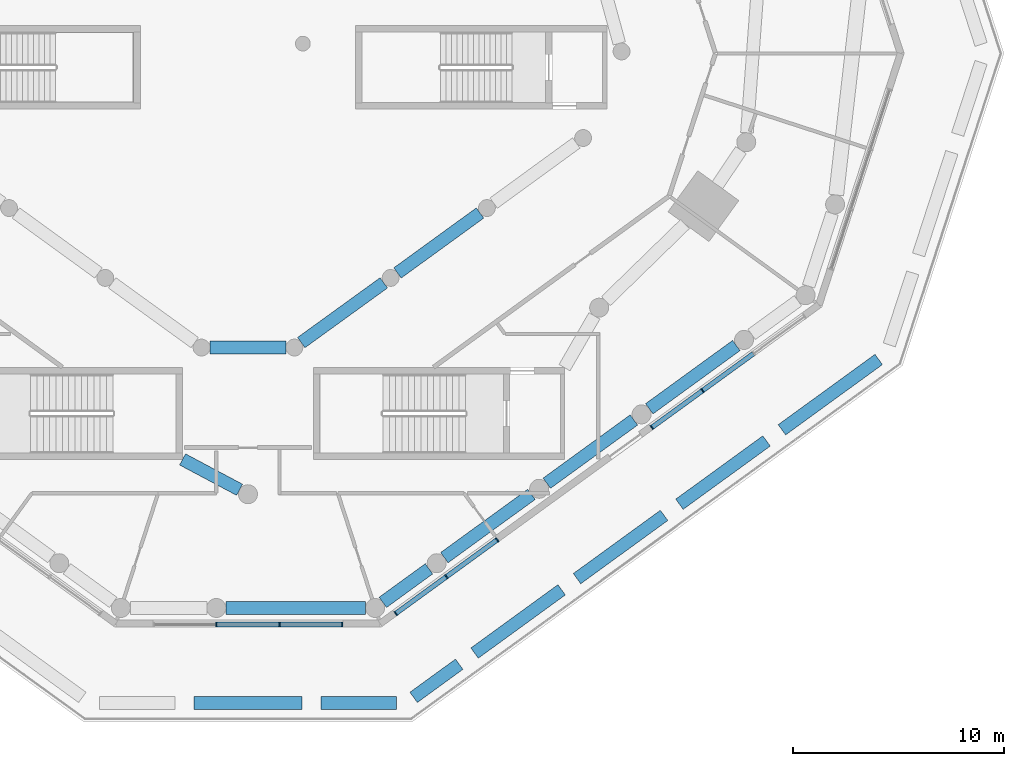
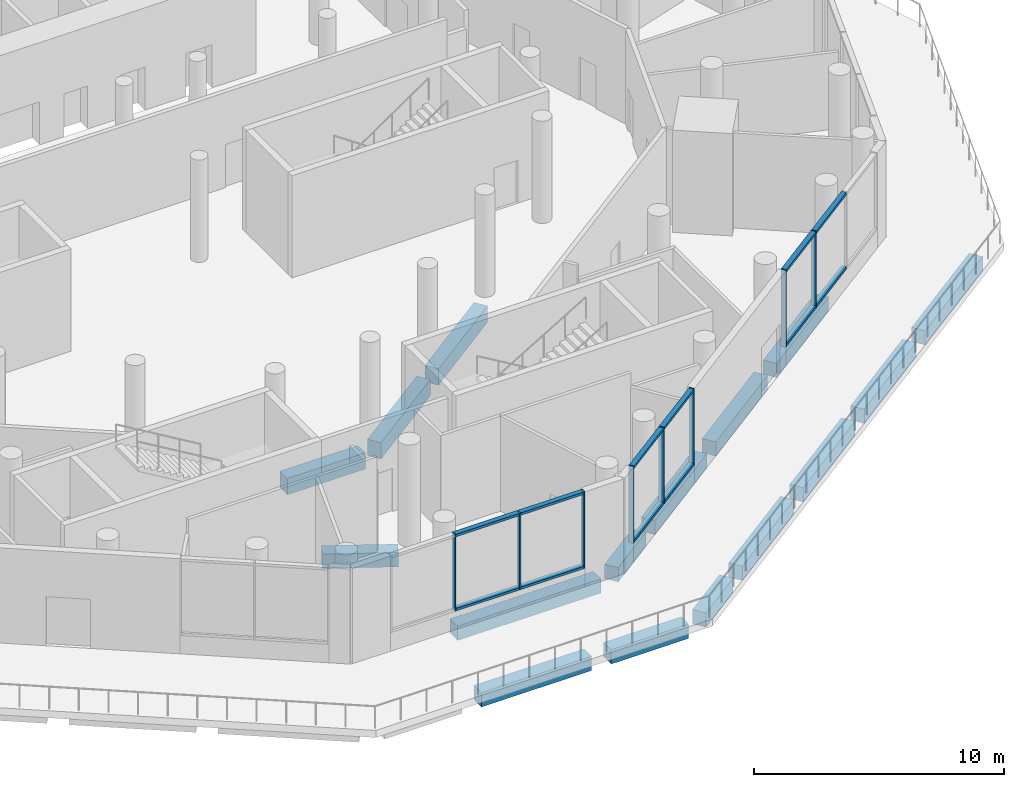
# One storey, part 4 of 19: 20 members, 16 beams, 3 elements without a shape of their own.
"""IFC4 building model written with IfcOpenShell, lengths in metres."""

from ifc_helpers import new_model, si_unit, direction, frame, origin, origin_2d, place, context, subcontext, project, spatial, rectangle, extrude, material, material_profile, profile_set, type_object, element, aggregate, save


model = new_model("IFC4")

# Units and contexts
model_context = context("Model", 3, precision=1e-05, world=origin(), true_north=direction((0.0, 1.0)))
body_context = subcontext(model_context, "Body", "Model", "MODEL_VIEW")
ifc_project = project(units=[si_unit("LENGTHUNIT", "METRE"), si_unit("AREAUNIT", "SQUARE_METRE"), si_unit("VOLUMEUNIT", "CUBIC_METRE"), si_unit("PLANEANGLEUNIT", "RADIAN"), si_unit("MASSUNIT", "GRAM", prefix="KILO")], contexts=[model_context])

# Site, building, storey
site_placement = place(None, origin())
site = spatial("IfcSite", under=ifc_project, at=site_placement, CompositionType="ELEMENT")
building_placement = place(site_placement, origin())
building = spatial("IfcBuilding", under=site, at=building_placement, Name="White Candle Pilgrim Tower", CompositionType="ELEMENT")
storey_placement = place(building_placement, frame((0.0, 0.0, 29.0)))
storey = spatial("IfcBuildingStorey", under=building, at=storey_placement, Name="L04", CompositionType="ELEMENT", Elevation=29.0)

# Curtain wall, members
ifc_material_1 = material(Name="Aluminium and glass", Category="aluminium")
curtain_wall_type = type_object("IfcCurtainWallType", Name="Curtain wall CW3 refectory and meeting glazing", PredefinedType="NOTDEFINED", material=ifc_material_1)
curtain_wall_1_placement = place(storey_placement, origin())
curtain_wall_1 = element("IfcCurtainWall", 1, at=curtain_wall_1_placement, inside=storey, type_object=curtain_wall_type, Name="Curtain wall CW3 L04 S chamfer", PredefinedType="NOTDEFINED")
ifc_material_2 = material(Name="Aluminium", Category="aluminium")
ifc_material_profile_1 = material_profile(ifc_material_2, rectangle(XDim=0.22509765625, YDim=0.06005859375, at=origin_2d()), Name="CW3 mullion 60x225")
ifc_profile_set_1 = profile_set([ifc_material_profile_1], Name="Aluminium")
member_type_1 = type_object("IfcMemberType", Name="CW3 mullion 60x225", PredefinedType="MULLION", material=ifc_profile_set_1)
member_1_placement = place(storey_placement, frame((68.5, 33.4736328125, 0.89990234375), z_axis=(0.0, 0.0, 1.0), x_axis=(0.0, 1.0, 0.0)))
member_1 = element("IfcMember", 2, at=member_1_placement, type_object=member_type_1, Name="CW3 mullion 2", PredefinedType="MULLION", context=body_context, shape_type="SweptSolid", body=[
    extrude(rectangle(XDim=0.22509765625, YDim=0.06005859375, at=origin_2d()), origin(), (0.0, 0.0, 1.0), 3.75),
])
member_2_placement = place(storey_placement, frame((71.5, 33.4736328125, 0.89990234375), z_axis=(0.0, 0.0, 1.0), x_axis=(0.0, 1.0, 0.0)))
member_2 = element("IfcMember", 3, at=member_2_placement, type_object=member_type_1, Name="CW3 mullion 3", PredefinedType="MULLION", context=body_context, shape_type="SweptSolid", body=[
    extrude(rectangle(XDim=0.22509765625, YDim=0.06005859375, at=origin_2d()), origin(), (0.0, 0.0, 1.0), 3.75),
])
member_3_placement = place(storey_placement, frame((74.469970703125, 33.4736328125, 0.89990234375), z_axis=(0.0, 0.0, 1.0), x_axis=(0.0, 1.0, 0.0)))
member_3 = element("IfcMember", 4, at=member_3_placement, type_object=member_type_1, Name="CW3 mullion 4", PredefinedType="MULLION", context=body_context, shape_type="SweptSolid", body=[
    extrude(rectangle(XDim=0.22509765625, YDim=0.06005859375, at=origin_2d()), origin(), (0.0, 0.0, 1.0), 3.75),
])

curtain_wall_2_placement = place(storey_placement, origin())
curtain_wall_2 = element("IfcCurtainWall", 5, at=curtain_wall_2_placement, inside=storey, type_object=curtain_wall_type, Name="Curtain wall CW3 L04 SE", PredefinedType="NOTDEFINED")
member_4_placement = place(storey_placement, frame((77.001708984375, 33.998291015625, 0.89990234375), z_axis=(0.0, 0.0, 1.0), x_axis=(-0.587785250203, 0.809016995893, 0.0)))
member_4 = element("IfcMember", 6, at=member_4_placement, type_object=member_type_1, Name="CW3 mullion 1", PredefinedType="MULLION", context=body_context, shape_type="SweptSolid", body=[
    extrude(rectangle(XDim=0.22509765625, YDim=0.06005859375, at=origin_2d()), origin(), (0.0, 0.0, 1.0), 3.75),
])
member_5_placement = place(storey_placement, frame((79.404541015625, 35.743896484375, 0.89990234375), z_axis=(0.0, 0.0, 1.0), x_axis=(-0.587785250203, 0.809016995893, 0.0)))
member_5 = element("IfcMember", 7, at=member_5_placement, type_object=member_type_1, Name="CW3 mullion 2", PredefinedType="MULLION", context=body_context, shape_type="SweptSolid", body=[
    extrude(rectangle(XDim=0.22509765625, YDim=0.06005859375, at=origin_2d()), origin(), (0.0, 0.0, 1.0), 3.75),
])
member_6_placement = place(storey_placement, frame((81.807373046875, 37.48974609375, 0.89990234375), z_axis=(0.0, 0.0, 1.0), x_axis=(-0.587785250203, 0.809016995893, 0.0)))
member_6 = element("IfcMember", 8, at=member_6_placement, type_object=member_type_1, Name="CW3 mullion 3", PredefinedType="MULLION", context=body_context, shape_type="SweptSolid", body=[
    extrude(rectangle(XDim=0.22509765625, YDim=0.06005859375, at=origin_2d()), origin(), (0.0, 0.0, 1.0), 3.75),
])

curtain_wall_3_placement = place(storey_placement, origin())
curtain_wall_3 = element("IfcCurtainWall", 9, at=curtain_wall_3_placement, inside=storey, type_object=curtain_wall_type, Name="Curtain wall CW3 L04 SE", PredefinedType="NOTDEFINED")
member_7_placement = place(storey_placement, frame((89.136962890625, 42.81494140625, 0.89990234375), z_axis=(0.0, 0.0, 1.0), x_axis=(-0.587785250217, 0.809016995883, 0.0)))
member_7 = element("IfcMember", 10, at=member_7_placement, type_object=member_type_1, Name="CW3 mullion 1", PredefinedType="MULLION", context=body_context, shape_type="SweptSolid", body=[
    extrude(rectangle(XDim=0.22509765625, YDim=0.06005859375, at=origin_2d()), origin(), (0.0, 0.0, 1.0), 3.75),
])
member_8_placement = place(storey_placement, frame((91.539794921875, 44.560791015625, 0.89990234375), z_axis=(0.0, 0.0, 1.0), x_axis=(-0.587785250217, 0.809016995883, 0.0)))
member_8 = element("IfcMember", 11, at=member_8_placement, type_object=member_type_1, Name="CW3 mullion 2", PredefinedType="MULLION", context=body_context, shape_type="SweptSolid", body=[
    extrude(rectangle(XDim=0.22509765625, YDim=0.06005859375, at=origin_2d()), origin(), (0.0, 0.0, 1.0), 3.75),
])

# Member
ifc_material_profile_2 = material_profile(ifc_material_2, rectangle(XDim=0.22509765625, YDim=0.1201171875, at=origin_2d()), Name="CW3 transom 120x225")
ifc_profile_set_2 = profile_set([ifc_material_profile_2], Name="Aluminium")
member_type_2 = type_object("IfcMemberType", Name="CW3 transom 120x225", PredefinedType="USERDEFINED", material=ifc_profile_set_2)
member_9_placement = place(storey_placement, frame((68.530029296875, 33.4736328125, 0.9599609375), z_axis=(1.0, 0.0, 0.0), x_axis=(0.0, 1.0, 0.0)))
member_9 = element("IfcMember", 12, at=member_9_placement, type_object=member_type_2, Name="CW3 transom 2.1", ObjectType="TRANSOM", PredefinedType="USERDEFINED", context=body_context, shape_type="SweptSolid", body=[
    extrude(rectangle(XDim=0.22509765625, YDim=0.1201171875, at=origin_2d()), origin(), (0.0, 0.0, 1.0), 2.93994140625),
])

member_10_placement = place(storey_placement, frame((68.530029296875, 33.4736328125, 4.590087890625), z_axis=(1.0, 0.0, 0.0), x_axis=(0.0, 1.0, 0.0)))
member_10 = element("IfcMember", 13, at=member_10_placement, type_object=member_type_2, Name="CW3 transom 2.2", ObjectType="TRANSOM", PredefinedType="USERDEFINED", context=body_context, shape_type="SweptSolid", body=[
    extrude(rectangle(XDim=0.22509765625, YDim=0.1201171875, at=origin_2d()), origin(), (0.0, 0.0, 1.0), 2.93994140625),
])

member_11_placement = place(storey_placement, frame((71.530029296875, 33.4736328125, 0.9599609375), z_axis=(1.0, 0.0, 0.0), x_axis=(0.0, 1.0, 0.0)))
member_11 = element("IfcMember", 14, at=member_11_placement, type_object=member_type_2, Name="CW3 transom 3.1", ObjectType="TRANSOM", PredefinedType="USERDEFINED", context=body_context, shape_type="SweptSolid", body=[
    extrude(rectangle(XDim=0.22509765625, YDim=0.1201171875, at=origin_2d()), origin(), (0.0, 0.0, 1.0), 2.909912109375),
])

member_12_placement = place(storey_placement, frame((71.530029296875, 33.4736328125, 4.590087890625), z_axis=(1.0, 0.0, 0.0), x_axis=(0.0, 1.0, 0.0)))
member_12 = element("IfcMember", 15, at=member_12_placement, type_object=member_type_2, Name="CW3 transom 3.2", ObjectType="TRANSOM", PredefinedType="USERDEFINED", context=body_context, shape_type="SweptSolid", body=[
    extrude(rectangle(XDim=0.22509765625, YDim=0.1201171875, at=origin_2d()), origin(), (0.0, 0.0, 1.0), 2.909912109375),
])

aggregate(curtain_wall_1, [member_1, member_2, member_3, member_9, member_10, member_11, member_12])

member_13_placement = place(storey_placement, frame((77.026123046875, 34.015869140625, 0.9599609375), z_axis=(0.809018973085, 0.587782528822, 0.0), x_axis=(-0.587782528822, 0.809018973085, 0.0)))
member_13 = element("IfcMember", 16, at=member_13_placement, type_object=member_type_2, Name="CW3 transom 1.1", ObjectType="TRANSOM", PredefinedType="USERDEFINED", context=body_context, shape_type="SweptSolid", body=[
    extrude(rectangle(XDim=0.22509765625, YDim=0.1201171875, at=origin_2d()), origin(), (0.0, 0.0, 1.0), 2.909912109375),
])

member_14_placement = place(storey_placement, frame((77.026123046875, 34.015869140625, 4.590087890625), z_axis=(0.809018973085, 0.587782528822, 0.0), x_axis=(-0.587782528822, 0.809018973085, 0.0)))
member_14 = element("IfcMember", 17, at=member_14_placement, type_object=member_type_2, Name="CW3 transom 1.2", ObjectType="TRANSOM", PredefinedType="USERDEFINED", context=body_context, shape_type="SweptSolid", body=[
    extrude(rectangle(XDim=0.22509765625, YDim=0.1201171875, at=origin_2d()), origin(), (0.0, 0.0, 1.0), 2.909912109375),
])

member_15_placement = place(storey_placement, frame((79.428955078125, 35.761474609375, 0.9599609375), z_axis=(0.808979077872, 0.587837436342, 0.0), x_axis=(-0.587837436342, 0.808979077872, 0.0)))
member_15 = element("IfcMember", 18, at=member_15_placement, type_object=member_type_2, Name="CW3 transom 2.1", ObjectType="TRANSOM", PredefinedType="USERDEFINED", context=body_context, shape_type="SweptSolid", body=[
    extrude(rectangle(XDim=0.22509765625, YDim=0.1201171875, at=origin_2d()), origin(), (0.0, 0.0, 1.0), 2.91015625),
])

member_16_placement = place(storey_placement, frame((79.428955078125, 35.761474609375, 4.590087890625), z_axis=(0.808979077872, 0.587837436342, 0.0), x_axis=(-0.587837436342, 0.808979077872, 0.0)))
member_16 = element("IfcMember", 19, at=member_16_placement, type_object=member_type_2, Name="CW3 transom 2.2", ObjectType="TRANSOM", PredefinedType="USERDEFINED", context=body_context, shape_type="SweptSolid", body=[
    extrude(rectangle(XDim=0.22509765625, YDim=0.1201171875, at=origin_2d()), origin(), (0.0, 0.0, 1.0), 2.91015625),
])

aggregate(curtain_wall_2, [member_4, member_5, member_6, member_13, member_14, member_15, member_16])

member_17_placement = place(storey_placement, frame((89.161376953125, 42.832763671875, 0.9599609375), z_axis=(0.809018973085, 0.587782528822, 0.0), x_axis=(-0.587782528822, 0.809018973085, 0.0)))
member_17 = element("IfcMember", 20, at=member_17_placement, type_object=member_type_2, Name="CW3 transom 1.1", ObjectType="TRANSOM", PredefinedType="USERDEFINED", context=body_context, shape_type="SweptSolid", body=[
    extrude(rectangle(XDim=0.22509765625, YDim=0.1201171875, at=origin_2d()), origin(), (0.0, 0.0, 1.0), 2.909912109375),
])

member_18_placement = place(storey_placement, frame((89.161376953125, 42.832763671875, 4.590087890625), z_axis=(0.809018973085, 0.587782528822, 0.0), x_axis=(-0.587782528822, 0.809018973085, 0.0)))
member_18 = element("IfcMember", 21, at=member_18_placement, type_object=member_type_2, Name="CW3 transom 1.2", ObjectType="TRANSOM", PredefinedType="USERDEFINED", context=body_context, shape_type="SweptSolid", body=[
    extrude(rectangle(XDim=0.22509765625, YDim=0.1201171875, at=origin_2d()), origin(), (0.0, 0.0, 1.0), 2.909912109375),
])

member_19_placement = place(storey_placement, frame((91.564208984375, 44.578369140625, 0.9599609375), z_axis=(0.809016098264, 0.587786485682, 0.0), x_axis=(-0.587786485682, 0.809016098264, 0.0)))
member_19 = element("IfcMember", 22, at=member_19_placement, type_object=member_type_2, Name="CW3 transom 2.1", ObjectType="TRANSOM", PredefinedType="USERDEFINED", context=body_context, shape_type="SweptSolid", body=[
    extrude(rectangle(XDim=0.22509765625, YDim=0.1201171875, at=origin_2d()), origin(), (0.0, 0.0, 1.0), 2.93994140625),
])

member_20_placement = place(storey_placement, frame((91.564208984375, 44.578369140625, 4.590087890625), z_axis=(0.809016098264, 0.587786485682, 0.0), x_axis=(-0.587786485682, 0.809016098264, 0.0)))
member_20 = element("IfcMember", 23, at=member_20_placement, type_object=member_type_2, Name="CW3 transom 2.2", ObjectType="TRANSOM", PredefinedType="USERDEFINED", context=body_context, shape_type="SweptSolid", body=[
    extrude(rectangle(XDim=0.22509765625, YDim=0.1201171875, at=origin_2d()), origin(), (0.0, 0.0, 1.0), 2.93994140625),
])

aggregate(curtain_wall_3, [member_7, member_8, member_17, member_18, member_19, member_20])

# Beams
ifc_material_3 = material(Name="Concrete C50/60", Category="concrete")
ifc_material_profile_3 = material_profile(ifc_material_3, rectangle(XDim=0.60009765625, YDim=0.800048828125, at=origin_2d()), Name="RC-BM 600x800")
ifc_profile_set_3 = profile_set([ifc_material_profile_3], Name="Concrete C50/60")
beam_type_1 = type_object("IfcBeamType", Name="Ring beam RC-BM 600x800 C50/60", PredefinedType="BEAM", material=ifc_profile_set_3)
beam_1_placement = place(storey_placement, frame((68.199951171875, 46.60009765625, -0.75), z_axis=(1.0, 0.0, 0.0), x_axis=(0.0, 1.0, 0.0)))
element("IfcBeam", 24, at=beam_1_placement, inside=storey, type_object=beam_type_1, Name="L04 ring beam R04", PredefinedType="BEAM", context=body_context, shape_type="SweptSolid", body=[
    extrude(rectangle(XDim=0.60009765625, YDim=0.800048828125, at=origin_2d()), origin(), (0.0, 0.0, 1.0), 3.60009765625),
])
beam_2_placement = place(storey_placement, frame((72.52392578125, 46.83447265625, -0.75), z_axis=(0.810124276712, 0.586258182273, 0.0), x_axis=(-0.586258182273, 0.810124276712, 0.0)))
element("IfcBeam", 25, at=beam_2_placement, inside=storey, type_object=beam_type_1, Name="L04 ring beam R05", PredefinedType="BEAM", context=body_context, shape_type="SweptSolid", body=[
    extrude(rectangle(XDim=0.60009765625, YDim=0.800048828125, at=origin_2d()), origin(), (0.0, 0.0, 1.0), 4.8291015625),
])
beam_3_placement = place(storey_placement, frame((77.08349609375, 50.135009765625, -0.75), z_axis=(0.809305595912, 0.587387821141, 0.0), x_axis=(-0.587387821141, 0.809305595912, 0.0)))
element("IfcBeam", 26, at=beam_3_placement, inside=storey, type_object=beam_type_1, Name="L04 ring beam R06", PredefinedType="BEAM", context=body_context, shape_type="SweptSolid", body=[
    extrude(rectangle(XDim=0.60009765625, YDim=0.800048828125, at=origin_2d()), origin(), (0.0, 0.0, 1.0), 4.835205078125),
])
ifc_material_profile_4 = material_profile(ifc_material_3, rectangle(XDim=0.60009765625, YDim=0.699951171875, at=origin_2d()), Name="RC-BM 600x700")
ifc_profile_set_4 = profile_set([ifc_material_profile_4], Name="Concrete C50/60")
beam_type_2 = type_object("IfcBeamType", Name="Spandrel beam RC-BM 600x700 C50/60", PredefinedType="BEAM", material=ifc_profile_set_4)
beam_4_placement = place(storey_placement, frame((69.60302734375, 39.861328125, -0.699951171875), z_axis=(-0.882752092562, 0.469839060826, 0.0), x_axis=(-0.469839060826, -0.882752092562, 0.0)))
element("IfcBeam", 27, at=beam_4_placement, inside=storey, type_object=beam_type_2, Name="L04 spandrel beam T04", PredefinedType="BEAM", context=body_context, shape_type="SweptSolid", body=[
    extrude(rectangle(XDim=0.60009765625, YDim=0.699951171875, at=origin_2d()), origin(), (0.0, 0.0, 1.0), 3.062255859375),
])
beam_5_placement = place(storey_placement, frame((67.449951171875, 29.760986328125, -0.699951171875), z_axis=(1.0, 0.0, 0.0), x_axis=(0.0, 1.0, 0.0)))
element("IfcBeam", 28, at=beam_5_placement, inside=storey, type_object=beam_type_2, Name="L04 spandrel beam B10", PredefinedType="BEAM", context=body_context, shape_type="SweptSolid", body=[
    extrude(rectangle(XDim=0.60009765625, YDim=0.699951171875, at=origin_2d()), origin(), (0.0, 0.0, 1.0), 5.10009765625),
])
beam_6_placement = place(storey_placement, frame((73.449951171875, 29.760986328125, -0.699951171875), z_axis=(1.0, 0.0, 0.0), x_axis=(0.0, 1.0, 0.0)))
element("IfcBeam", 29, at=beam_6_placement, inside=storey, type_object=beam_type_2, Name="L04 spandrel beam B11", PredefinedType="BEAM", context=body_context, shape_type="SweptSolid", body=[
    extrude(rectangle(XDim=0.60009765625, YDim=0.699951171875, at=origin_2d()), origin(), (0.0, 0.0, 1.0), 3.5859375),
])
beam_7_placement = place(storey_placement, frame((77.849853515625, 30.025390625, -0.699951171875), z_axis=(0.808985185051, 0.58782903158, 0.0), x_axis=(-0.58782903158, 0.808985185051, 0.0)))
element("IfcBeam", 30, at=beam_7_placement, inside=storey, type_object=beam_type_2, Name="L04 spandrel beam B12", PredefinedType="BEAM", context=body_context, shape_type="SweptSolid", body=[
    extrude(rectangle(XDim=0.60009765625, YDim=0.699951171875, at=origin_2d()), origin(), (0.0, 0.0, 1.0), 2.669189453125),
])
beam_8_placement = place(storey_placement, frame((80.73681640625, 32.123291015625, -0.699951171875), z_axis=(0.808978190317, 0.587838657789, 0.0), x_axis=(-0.587838657789, 0.808978190317, 0.0)))
element("IfcBeam", 31, at=beam_8_placement, inside=storey, type_object=beam_type_2, Name="L04 spandrel beam B13", PredefinedType="BEAM", context=body_context, shape_type="SweptSolid", body=[
    extrude(rectangle(XDim=0.60009765625, YDim=0.699951171875, at=origin_2d()), origin(), (0.0, 0.0, 1.0), 5.1005859375),
])
beam_9_placement = place(storey_placement, frame((85.5908203125, 35.650390625, -0.699951171875), z_axis=(0.809069240735, 0.587713334625, 0.0), x_axis=(-0.587713334625, 0.809069240735, 0.0)))
element("IfcBeam", 32, at=beam_9_placement, inside=storey, type_object=beam_type_2, Name="L04 spandrel beam B14", PredefinedType="BEAM", context=body_context, shape_type="SweptSolid", body=[
    extrude(rectangle(XDim=0.60009765625, YDim=0.699951171875, at=origin_2d()), origin(), (0.0, 0.0, 1.0), 5.099853515625),
])
beam_10_placement = place(storey_placement, frame((90.44482421875, 39.17626953125, -0.699951171875), z_axis=(0.809021578494, 0.587778942742, 0.0), x_axis=(-0.587778942742, 0.809021578494, 0.0)))
element("IfcBeam", 33, at=beam_10_placement, inside=storey, type_object=beam_type_2, Name="L04 spandrel beam B15", PredefinedType="BEAM", context=body_context, shape_type="SweptSolid", body=[
    extrude(rectangle(XDim=0.60009765625, YDim=0.699951171875, at=origin_2d()), origin(), (0.0, 0.0, 1.0), 5.1015625),
])
beam_11_placement = place(storey_placement, frame((95.2998046875, 42.703369140625, -0.699951171875), z_axis=(0.808998591139, 0.587810581339, 0.0), x_axis=(-0.587810581339, 0.808998591139, 0.0)))
element("IfcBeam", 34, at=beam_11_placement, inside=storey, type_object=beam_type_2, Name="L04 spandrel beam B16", PredefinedType="BEAM", context=body_context, shape_type="SweptSolid", body=[
    extrude(rectangle(XDim=0.60009765625, YDim=0.699951171875, at=origin_2d()), origin(), (0.0, 0.0, 1.0), 5.6689453125),
])
beam_12_placement = place(storey_placement, frame((68.949951171875, 34.260986328125, -0.699951171875), z_axis=(1.0, 0.0, 0.0), x_axis=(0.0, 1.0, 0.0)))
element("IfcBeam", 35, at=beam_12_placement, inside=storey, type_object=beam_type_2, Name="L04 spandrel beam C08", PredefinedType="BEAM", context=body_context, shape_type="SweptSolid", body=[
    extrude(rectangle(XDim=0.60009765625, YDim=0.699951171875, at=origin_2d()), origin(), (0.0, 0.0, 1.0), 6.6240234375),
])
beam_13_placement = place(storey_placement, frame((76.387939453125, 34.525390625, -0.699951171875), z_axis=(0.809008975915, 0.587796288598, 0.0), x_axis=(-0.587796288598, 0.809008975915, 0.0)))
element("IfcBeam", 36, at=beam_13_placement, inside=storey, type_object=beam_type_2, Name="L04 spandrel beam C09", PredefinedType="BEAM", context=body_context, shape_type="SweptSolid", body=[
    extrude(rectangle(XDim=0.60009765625, YDim=0.699951171875, at=origin_2d()), origin(), (0.0, 0.0, 1.0), 2.707275390625),
])
beam_14_placement = place(storey_placement, frame((79.305908203125, 36.6455078125, -0.699951171875), z_axis=(0.80900095282, 0.587807330965, 0.0), x_axis=(-0.587807330965, 0.80900095282, 0.0)))
element("IfcBeam", 37, at=beam_14_placement, inside=storey, type_object=beam_type_2, Name="L04 spandrel beam C10", PredefinedType="BEAM", context=body_context, shape_type="SweptSolid", body=[
    extrude(rectangle(XDim=0.60009765625, YDim=0.699951171875, at=origin_2d()), origin(), (0.0, 0.0, 1.0), 5.100341796875),
])
beam_15_placement = place(storey_placement, frame((84.159912109375, 40.17236328125, -0.699951171875), z_axis=(0.809069240735, 0.587713334625, 0.0), x_axis=(-0.587713334625, 0.809069240735, 0.0)))
element("IfcBeam", 38, at=beam_15_placement, inside=storey, type_object=beam_type_2, Name="L04 spandrel beam C11", PredefinedType="BEAM", context=body_context, shape_type="SweptSolid", body=[
    extrude(rectangle(XDim=0.60009765625, YDim=0.699951171875, at=origin_2d()), origin(), (0.0, 0.0, 1.0), 5.099853515625),
])
beam_16_placement = place(storey_placement, frame((89.013916015625, 43.698486328125, -0.699951171875), z_axis=(0.80900095282, 0.587807330965, 0.0), x_axis=(-0.587807330965, 0.80900095282, 0.0)))
element("IfcBeam", 39, at=beam_16_placement, inside=storey, type_object=beam_type_2, Name="L04 spandrel beam C12", PredefinedType="BEAM", context=body_context, shape_type="SweptSolid", body=[
    extrude(rectangle(XDim=0.60009765625, YDim=0.699951171875, at=origin_2d()), origin(), (0.0, 0.0, 1.0), 5.100341796875),
])

save(model, "model.ifc")
